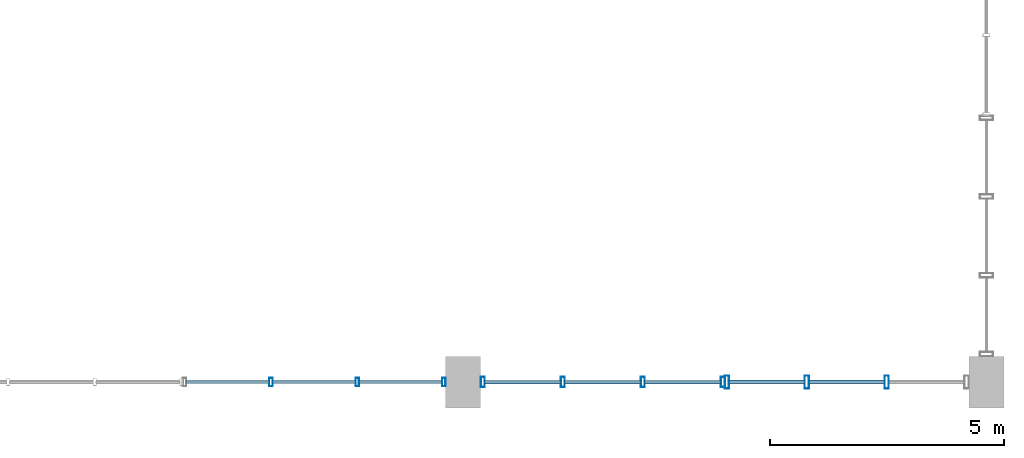
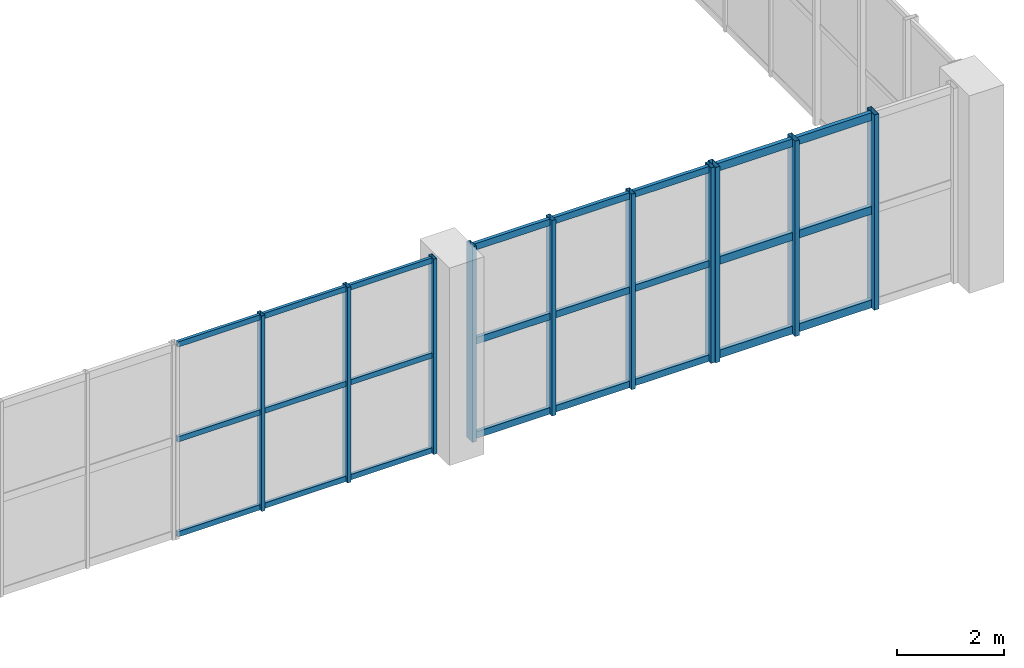
# One storey, part 20 of 48: 34 members, 3 elements without a shape of their own.
"""IFC4 building model written with IfcOpenShell, lengths in metres."""

from ifc_helpers import new_model, si_unit, direction, frame, origin, origin_2d, place, context, subcontext, project, spatial, hollow_rectangle, extrude, material, layer, layer_set, material_profile, profile_set, type_object, element, aggregate, save


model = new_model("IFC4")

# Units and contexts
model_context = context("Model", 3, precision=1e-05, world=origin(), true_north=direction((0.0, 1.0)))
body_context = subcontext(model_context, "Body", "Model", "MODEL_VIEW")
ifc_project = project(units=[si_unit("LENGTHUNIT", "METRE"), si_unit("AREAUNIT", "SQUARE_METRE"), si_unit("VOLUMEUNIT", "CUBIC_METRE"), si_unit("PLANEANGLEUNIT", "RADIAN"), si_unit("MASSUNIT", "GRAM", prefix="KILO"), si_unit("POWERUNIT", "WATT"), si_unit("THERMODYNAMICTEMPERATUREUNIT", "KELVIN")], contexts=[model_context])

# Site, building, storey
site_placement = place(None, origin())
site = spatial("IfcSite", under=ifc_project, at=site_placement, CompositionType="ELEMENT")
building_placement = place(site_placement, origin())
building = spatial("IfcBuilding", under=site, at=building_placement, Name="Kelmbourne Parkland Aquatics Centre", CompositionType="ELEMENT")
storey_placement = place(building_placement, frame((0.0, 0.0, 14.699951171875)))
storey = spatial("IfcBuildingStorey", under=building, at=storey_placement, Name="L03", CompositionType="ELEMENT", Elevation=14.699951171875)

# Curtain wall, members
ifc_material = material(Name="Thermally broken anodised aluminium framing", Category="aluminium")
ifc_layer_1 = layer(ifc_material, 0.179931640625)
ifc_layer_set_1 = layer_set([ifc_layer_1], Name="Thermally broken anodised aluminium framing")
curtain_wall_type_1 = type_object("IfcCurtainWallType", Name="CW-06", PredefinedType="NOTDEFINED", material=ifc_layer_set_1)
curtain_wall_1_placement = place(storey_placement, origin())
curtain_wall_1 = element("IfcCurtainWall", 1, at=curtain_wall_1_placement, inside=storey, type_object=curtain_wall_type_1, Name="Wave-hall clerestory curtain wall CW-L03-126", PredefinedType="NOTDEFINED")
ifc_material_profile_1 = material_profile(ifc_material, hollow_rectangle(XDim=0.074951171875, YDim=0.179931640625, WallThickness=0.00439453125, at=origin_2d()), Name="CW-M 75x180")
ifc_profile_set_1 = profile_set([ifc_material_profile_1], Name="Thermally broken anodised aluminium framing")
member_type_1 = type_object("IfcMemberType", Name="MB-MUL-2", PredefinedType="MULLION", material=ifc_profile_set_1)
member_1_placement = place(storey_placement, frame((159.88671875, 0.800048828125, 0.0), z_axis=(0.0, 0.0, 1.0), x_axis=(1.0, 0.0, 0.0)))
member_1 = element("IfcMember", 2, at=member_1_placement, type_object=member_type_1, Name="CW-L03-126 mullion 1", PredefinedType="MULLION", context=body_context, shape_type="SweptSolid", body=[
    extrude(hollow_rectangle(XDim=0.074951171875, YDim=0.179931640625, WallThickness=0.00439453125, at=origin_2d()), origin(), (0.0, 0.0, 1.0), 4.449951171875),
])
member_2_placement = place(storey_placement, frame((161.736083984375, 0.800048828125, 0.0), z_axis=(0.0, 0.0, 1.0), x_axis=(1.0, 0.0, 0.0)))
member_2 = element("IfcMember", 3, at=member_2_placement, type_object=member_type_1, Name="CW-L03-126 mullion 2", PredefinedType="MULLION", context=body_context, shape_type="SweptSolid", body=[
    extrude(hollow_rectangle(XDim=0.074951171875, YDim=0.179931640625, WallThickness=0.00439453125, at=origin_2d()), origin(), (0.0, 0.0, 1.0), 4.449951171875),
])
member_3_placement = place(storey_placement, frame((163.58544921875, 0.800048828125, 0.0), z_axis=(0.0, 0.0, 1.0), x_axis=(1.0, 0.0, 0.0)))
member_3 = element("IfcMember", 4, at=member_3_placement, type_object=member_type_1, Name="CW-L03-126 mullion 3", PredefinedType="MULLION", context=body_context, shape_type="SweptSolid", body=[
    extrude(hollow_rectangle(XDim=0.074951171875, YDim=0.179931640625, WallThickness=0.00439453125, at=origin_2d()), origin(), (0.0, 0.0, 1.0), 4.449951171875),
])

ifc_layer_2 = layer(ifc_material, 0.179931640625)
ifc_layer_set_2 = layer_set([ifc_layer_2], Name="Thermally broken anodised aluminium framing")
curtain_wall_type_2 = type_object("IfcCurtainWallType", Name="CW-07", PredefinedType="NOTDEFINED", material=ifc_layer_set_2)
curtain_wall_2_placement = place(storey_placement, origin())
curtain_wall_2 = element("IfcCurtainWall", 5, at=curtain_wall_2_placement, inside=storey, type_object=curtain_wall_type_2, Name="Wave-hall clerestory curtain wall CW-L03-127", PredefinedType="NOTDEFINED")
ifc_material_profile_2 = material_profile(ifc_material, hollow_rectangle(XDim=0.0849609375, YDim=0.219970703125, WallThickness=0.0048828125, at=origin_2d()), Name="CW-M 85x220")
ifc_profile_set_2 = profile_set([ifc_material_profile_2], Name="Thermally broken anodised aluminium framing")
member_type_2 = type_object("IfcMemberType", Name="MB-MUL-3", PredefinedType="MULLION", material=ifc_profile_set_2)
member_4_placement = place(storey_placement, frame((164.41943359375, 0.800048828125, 0.0), z_axis=(0.0, 0.0, 1.0), x_axis=(1.0, 0.0, 0.0)))
member_4 = element("IfcMember", 6, at=member_4_placement, type_object=member_type_2, Name="CW-L03-127 mullion 0", PredefinedType="MULLION", context=body_context, shape_type="SweptSolid", body=[
    extrude(hollow_rectangle(XDim=0.0849609375, YDim=0.219970703125, WallThickness=0.0048828125, at=origin_2d()), origin(), (0.0, 0.0, 1.0), 4.449951171875),
])
member_5_placement = place(storey_placement, frame((166.132080078125, 0.800048828125, 0.0), z_axis=(0.0, 0.0, 1.0), x_axis=(1.0, 0.0, 0.0)))
member_5 = element("IfcMember", 7, at=member_5_placement, type_object=member_type_2, Name="CW-L03-127 mullion 1", PredefinedType="MULLION", context=body_context, shape_type="SweptSolid", body=[
    extrude(hollow_rectangle(XDim=0.0849609375, YDim=0.219970703125, WallThickness=0.0048828125, at=origin_2d()), origin(), (0.0, 0.0, 1.0), 4.449951171875),
])
member_6_placement = place(storey_placement, frame((167.8447265625, 0.800048828125, 0.0), z_axis=(0.0, 0.0, 1.0), x_axis=(1.0, 0.0, 0.0)))
member_6 = element("IfcMember", 8, at=member_6_placement, type_object=member_type_2, Name="CW-L03-127 mullion 2", PredefinedType="MULLION", context=body_context, shape_type="SweptSolid", body=[
    extrude(hollow_rectangle(XDim=0.0849609375, YDim=0.219970703125, WallThickness=0.0048828125, at=origin_2d()), origin(), (0.0, 0.0, 1.0), 4.449951171875),
])
member_7_placement = place(storey_placement, frame((169.5576171875, 0.800048828125, 0.0), z_axis=(0.0, 0.0, 1.0), x_axis=(1.0, 0.0, 0.0)))
member_7 = element("IfcMember", 9, at=member_7_placement, type_object=member_type_2, Name="CW-L03-127 mullion 3", PredefinedType="MULLION", context=body_context, shape_type="SweptSolid", body=[
    extrude(hollow_rectangle(XDim=0.0849609375, YDim=0.219970703125, WallThickness=0.0048828125, at=origin_2d()), origin(), (0.0, 0.0, 1.0), 4.449951171875),
])

ifc_layer_3 = layer(ifc_material, 0.179931640625)
ifc_layer_set_3 = layer_set([ifc_layer_3], Name="Thermally broken anodised aluminium framing")
curtain_wall_type_3 = type_object("IfcCurtainWallType", Name="CW-08", PredefinedType="NOTDEFINED", material=ifc_layer_set_3)
curtain_wall_3_placement = place(storey_placement, origin())
curtain_wall_3 = element("IfcCurtainWall", 10, at=curtain_wall_3_placement, inside=storey, type_object=curtain_wall_type_3, Name="Wave-hall clerestory curtain wall CW-L03-128", PredefinedType="NOTDEFINED")
ifc_material_profile_3 = material_profile(ifc_material, hollow_rectangle(XDim=0.094970703125, YDim=0.280029296875, WallThickness=0.005615234375, at=origin_2d()), Name="CW-M 95x280")
ifc_profile_set_3 = profile_set([ifc_material_profile_3], Name="Thermally broken anodised aluminium framing")
member_type_3 = type_object("IfcMemberType", Name="MB-MUL-4", PredefinedType="MULLION", material=ifc_profile_set_3)
member_8_placement = place(storey_placement, frame((169.6474609375, 0.800048828125, 0.0), z_axis=(0.0, 0.0, 1.0), x_axis=(1.0, 0.0, 0.0)))
member_8 = element("IfcMember", 11, at=member_8_placement, type_object=member_type_3, Name="CW-L03-128 mullion 0", PredefinedType="MULLION", context=body_context, shape_type="SweptSolid", body=[
    extrude(hollow_rectangle(XDim=0.094970703125, YDim=0.280029296875, WallThickness=0.005615234375, at=origin_2d()), origin(), (0.0, 0.0, 1.0), 4.449951171875),
])
member_9_placement = place(storey_placement, frame((171.356689453125, 0.800048828125, 0.0), z_axis=(0.0, 0.0, 1.0), x_axis=(1.0, 0.0, 0.0)))
member_9 = element("IfcMember", 12, at=member_9_placement, type_object=member_type_3, Name="CW-L03-128 mullion 1", PredefinedType="MULLION", context=body_context, shape_type="SweptSolid", body=[
    extrude(hollow_rectangle(XDim=0.094970703125, YDim=0.280029296875, WallThickness=0.005615234375, at=origin_2d()), origin(), (0.0, 0.0, 1.0), 4.449951171875),
])
member_10_placement = place(storey_placement, frame((173.066162109375, 0.800048828125, 0.0), z_axis=(0.0, 0.0, 1.0), x_axis=(1.0, 0.0, 0.0)))
member_10 = element("IfcMember", 13, at=member_10_placement, type_object=member_type_3, Name="CW-L03-128 mullion 2", PredefinedType="MULLION", context=body_context, shape_type="SweptSolid", body=[
    extrude(hollow_rectangle(XDim=0.094970703125, YDim=0.280029296875, WallThickness=0.005615234375, at=origin_2d()), origin(), (0.0, 0.0, 1.0), 4.449951171875),
])

# Member
ifc_material_profile_4 = material_profile(ifc_material, hollow_rectangle(XDim=0.06494140625, YDim=0.1201171875, WallThickness=0.00341796875, at=origin_2d()), Name="CW-T 65x120")
ifc_profile_set_4 = profile_set([ifc_material_profile_4], Name="Thermally broken anodised aluminium framing")
member_type_4 = type_object("IfcMemberType", Name="MB-TRN-1", PredefinedType="USERDEFINED", material=ifc_profile_set_4)
member_11_placement = place(storey_placement, frame((158.071044921875, 0.800048828125, 0.06298828125), z_axis=(1.0, 0.0, 0.0), x_axis=(0.0, 1.0, 0.0)))
member_11 = element("IfcMember", 14, at=member_11_placement, type_object=member_type_4, Name="CW-L03-126 transom 0-0", ObjectType="TRANSOM", PredefinedType="USERDEFINED", context=body_context, shape_type="SweptSolid", body=[
    extrude(hollow_rectangle(XDim=0.06494140625, YDim=0.1201171875, WallThickness=0.00341796875, at=origin_2d()), origin(), (0.0, 0.0, 1.0), 1.7822265625),
])

member_12_placement = place(storey_placement, frame((159.92041015625, 0.800048828125, 0.06298828125), z_axis=(1.0, 0.0, 0.0), x_axis=(0.0, 1.0, 0.0)))
member_12 = element("IfcMember", 15, at=member_12_placement, type_object=member_type_4, Name="CW-L03-126 transom 0-1", ObjectType="TRANSOM", PredefinedType="USERDEFINED", context=body_context, shape_type="SweptSolid", body=[
    extrude(hollow_rectangle(XDim=0.06494140625, YDim=0.1201171875, WallThickness=0.00341796875, at=origin_2d()), origin(), (0.0, 0.0, 1.0), 1.7822265625),
])

member_13_placement = place(storey_placement, frame((161.769775390625, 0.800048828125, 0.06298828125), z_axis=(1.0, 0.0, 0.0), x_axis=(0.0, 1.0, 0.0)))
member_13 = element("IfcMember", 16, at=member_13_placement, type_object=member_type_4, Name="CW-L03-126 transom 0-2", ObjectType="TRANSOM", PredefinedType="USERDEFINED", context=body_context, shape_type="SweptSolid", body=[
    extrude(hollow_rectangle(XDim=0.06494140625, YDim=0.1201171875, WallThickness=0.00341796875, at=origin_2d()), origin(), (0.0, 0.0, 1.0), 1.7822265625),
])

member_14_placement = place(storey_placement, frame((158.071044921875, 0.800048828125, 2.22509765625), z_axis=(1.0, 0.0, 0.0), x_axis=(0.0, 1.0, 0.0)))
member_14 = element("IfcMember", 17, at=member_14_placement, type_object=member_type_4, Name="CW-L03-126 transom 1-0", ObjectType="TRANSOM", PredefinedType="USERDEFINED", context=body_context, shape_type="SweptSolid", body=[
    extrude(hollow_rectangle(XDim=0.06494140625, YDim=0.1201171875, WallThickness=0.00341796875, at=origin_2d()), origin(), (0.0, 0.0, 1.0), 1.7822265625),
])

member_15_placement = place(storey_placement, frame((159.92041015625, 0.800048828125, 2.22509765625), z_axis=(1.0, 0.0, 0.0), x_axis=(0.0, 1.0, 0.0)))
member_15 = element("IfcMember", 18, at=member_15_placement, type_object=member_type_4, Name="CW-L03-126 transom 1-1", ObjectType="TRANSOM", PredefinedType="USERDEFINED", context=body_context, shape_type="SweptSolid", body=[
    extrude(hollow_rectangle(XDim=0.06494140625, YDim=0.1201171875, WallThickness=0.00341796875, at=origin_2d()), origin(), (0.0, 0.0, 1.0), 1.7822265625),
])

member_16_placement = place(storey_placement, frame((161.769775390625, 0.800048828125, 2.22509765625), z_axis=(1.0, 0.0, 0.0), x_axis=(0.0, 1.0, 0.0)))
member_16 = element("IfcMember", 19, at=member_16_placement, type_object=member_type_4, Name="CW-L03-126 transom 1-2", ObjectType="TRANSOM", PredefinedType="USERDEFINED", context=body_context, shape_type="SweptSolid", body=[
    extrude(hollow_rectangle(XDim=0.06494140625, YDim=0.1201171875, WallThickness=0.00341796875, at=origin_2d()), origin(), (0.0, 0.0, 1.0), 1.7822265625),
])

member_17_placement = place(storey_placement, frame((158.071044921875, 0.800048828125, 4.386962890625), z_axis=(1.0, 0.0, 0.0), x_axis=(0.0, 1.0, 0.0)))
member_17 = element("IfcMember", 20, at=member_17_placement, type_object=member_type_4, Name="CW-L03-126 transom 2-0", ObjectType="TRANSOM", PredefinedType="USERDEFINED", context=body_context, shape_type="SweptSolid", body=[
    extrude(hollow_rectangle(XDim=0.06494140625, YDim=0.1201171875, WallThickness=0.00341796875, at=origin_2d()), origin(), (0.0, 0.0, 1.0), 1.7822265625),
])

member_18_placement = place(storey_placement, frame((159.92041015625, 0.800048828125, 4.386962890625), z_axis=(1.0, 0.0, 0.0), x_axis=(0.0, 1.0, 0.0)))
member_18 = element("IfcMember", 21, at=member_18_placement, type_object=member_type_4, Name="CW-L03-126 transom 2-1", ObjectType="TRANSOM", PredefinedType="USERDEFINED", context=body_context, shape_type="SweptSolid", body=[
    extrude(hollow_rectangle(XDim=0.06494140625, YDim=0.1201171875, WallThickness=0.00341796875, at=origin_2d()), origin(), (0.0, 0.0, 1.0), 1.7822265625),
])

member_19_placement = place(storey_placement, frame((161.769775390625, 0.800048828125, 4.386962890625), z_axis=(1.0, 0.0, 0.0), x_axis=(0.0, 1.0, 0.0)))
member_19 = element("IfcMember", 22, at=member_19_placement, type_object=member_type_4, Name="CW-L03-126 transom 2-2", ObjectType="TRANSOM", PredefinedType="USERDEFINED", context=body_context, shape_type="SweptSolid", body=[
    extrude(hollow_rectangle(XDim=0.06494140625, YDim=0.1201171875, WallThickness=0.00341796875, at=origin_2d()), origin(), (0.0, 0.0, 1.0), 1.7822265625),
])

aggregate(curtain_wall_1, [member_1, member_2, member_3, member_11, member_12, member_13, member_14, member_15, member_16, member_17, member_18, member_19])

ifc_material_profile_5 = material_profile(ifc_material, hollow_rectangle(XDim=0.074951171875, YDim=0.14990234375, WallThickness=0.00390625, at=origin_2d()), Name="CW-T 75x150")
ifc_profile_set_5 = profile_set([ifc_material_profile_5], Name="Thermally broken anodised aluminium framing")
member_type_5 = type_object("IfcMemberType", Name="MB-TRN-2", PredefinedType="USERDEFINED", material=ifc_profile_set_5)
member_20_placement = place(storey_placement, frame((164.4580078125, 0.800048828125, 0.078125), z_axis=(1.0, 0.0, 0.0), x_axis=(0.0, 1.0, 0.0)))
member_20 = element("IfcMember", 23, at=member_20_placement, type_object=member_type_5, Name="CW-L03-127 transom 0-0", ObjectType="TRANSOM", PredefinedType="USERDEFINED", context=body_context, shape_type="SweptSolid", body=[
    extrude(hollow_rectangle(XDim=0.074951171875, YDim=0.14990234375, WallThickness=0.00390625, at=origin_2d()), origin(), (0.0, 0.0, 1.0), 1.6357421875),
])

member_21_placement = place(storey_placement, frame((166.170654296875, 0.800048828125, 0.078125), z_axis=(1.0, 0.0, 0.0), x_axis=(0.0, 1.0, 0.0)))
member_21 = element("IfcMember", 24, at=member_21_placement, type_object=member_type_5, Name="CW-L03-127 transom 0-1", ObjectType="TRANSOM", PredefinedType="USERDEFINED", context=body_context, shape_type="SweptSolid", body=[
    extrude(hollow_rectangle(XDim=0.074951171875, YDim=0.14990234375, WallThickness=0.00390625, at=origin_2d()), origin(), (0.0, 0.0, 1.0), 1.6357421875),
])

member_22_placement = place(storey_placement, frame((167.88330078125, 0.800048828125, 0.078125), z_axis=(1.0, 0.0, 0.0), x_axis=(0.0, 1.0, 0.0)))
member_22 = element("IfcMember", 25, at=member_22_placement, type_object=member_type_5, Name="CW-L03-127 transom 0-2", ObjectType="TRANSOM", PredefinedType="USERDEFINED", context=body_context, shape_type="SweptSolid", body=[
    extrude(hollow_rectangle(XDim=0.074951171875, YDim=0.14990234375, WallThickness=0.00390625, at=origin_2d()), origin(), (0.0, 0.0, 1.0), 1.6357421875),
])

member_23_placement = place(storey_placement, frame((164.4580078125, 0.800048828125, 2.22509765625), z_axis=(1.0, 0.0, 0.0), x_axis=(0.0, 1.0, 0.0)))
member_23 = element("IfcMember", 26, at=member_23_placement, type_object=member_type_5, Name="CW-L03-127 transom 1-0", ObjectType="TRANSOM", PredefinedType="USERDEFINED", context=body_context, shape_type="SweptSolid", body=[
    extrude(hollow_rectangle(XDim=0.074951171875, YDim=0.14990234375, WallThickness=0.00390625, at=origin_2d()), origin(), (0.0, 0.0, 1.0), 1.6357421875),
])

member_24_placement = place(storey_placement, frame((166.170654296875, 0.800048828125, 2.22509765625), z_axis=(1.0, 0.0, 0.0), x_axis=(0.0, 1.0, 0.0)))
member_24 = element("IfcMember", 27, at=member_24_placement, type_object=member_type_5, Name="CW-L03-127 transom 1-1", ObjectType="TRANSOM", PredefinedType="USERDEFINED", context=body_context, shape_type="SweptSolid", body=[
    extrude(hollow_rectangle(XDim=0.074951171875, YDim=0.14990234375, WallThickness=0.00390625, at=origin_2d()), origin(), (0.0, 0.0, 1.0), 1.6357421875),
])

member_25_placement = place(storey_placement, frame((167.88330078125, 0.800048828125, 2.22509765625), z_axis=(1.0, 0.0, 0.0), x_axis=(0.0, 1.0, 0.0)))
member_25 = element("IfcMember", 28, at=member_25_placement, type_object=member_type_5, Name="CW-L03-127 transom 1-2", ObjectType="TRANSOM", PredefinedType="USERDEFINED", context=body_context, shape_type="SweptSolid", body=[
    extrude(hollow_rectangle(XDim=0.074951171875, YDim=0.14990234375, WallThickness=0.00390625, at=origin_2d()), origin(), (0.0, 0.0, 1.0), 1.6357421875),
])

member_26_placement = place(storey_placement, frame((164.4580078125, 0.800048828125, 4.3720703125), z_axis=(1.0, 0.0, 0.0), x_axis=(0.0, 1.0, 0.0)))
member_26 = element("IfcMember", 29, at=member_26_placement, type_object=member_type_5, Name="CW-L03-127 transom 2-0", ObjectType="TRANSOM", PredefinedType="USERDEFINED", context=body_context, shape_type="SweptSolid", body=[
    extrude(hollow_rectangle(XDim=0.074951171875, YDim=0.14990234375, WallThickness=0.00390625, at=origin_2d()), origin(), (0.0, 0.0, 1.0), 1.6357421875),
])

member_27_placement = place(storey_placement, frame((166.170654296875, 0.800048828125, 4.3720703125), z_axis=(1.0, 0.0, 0.0), x_axis=(0.0, 1.0, 0.0)))
member_27 = element("IfcMember", 30, at=member_27_placement, type_object=member_type_5, Name="CW-L03-127 transom 2-1", ObjectType="TRANSOM", PredefinedType="USERDEFINED", context=body_context, shape_type="SweptSolid", body=[
    extrude(hollow_rectangle(XDim=0.074951171875, YDim=0.14990234375, WallThickness=0.00390625, at=origin_2d()), origin(), (0.0, 0.0, 1.0), 1.6357421875),
])

member_28_placement = place(storey_placement, frame((167.88330078125, 0.800048828125, 4.3720703125), z_axis=(1.0, 0.0, 0.0), x_axis=(0.0, 1.0, 0.0)))
member_28 = element("IfcMember", 31, at=member_28_placement, type_object=member_type_5, Name="CW-L03-127 transom 2-2", ObjectType="TRANSOM", PredefinedType="USERDEFINED", context=body_context, shape_type="SweptSolid", body=[
    extrude(hollow_rectangle(XDim=0.074951171875, YDim=0.14990234375, WallThickness=0.00390625, at=origin_2d()), origin(), (0.0, 0.0, 1.0), 1.6357421875),
])

aggregate(curtain_wall_2, [member_4, member_5, member_6, member_7, member_20, member_21, member_22, member_23, member_24, member_25, member_26, member_27, member_28])

ifc_material_profile_6 = material_profile(ifc_material, hollow_rectangle(XDim=0.0849609375, YDim=0.179931640625, WallThickness=0.00439453125, at=origin_2d()), Name="CW-T 85x180")
ifc_profile_set_6 = profile_set([ifc_material_profile_6], Name="Thermally broken anodised aluminium framing")
member_type_6 = type_object("IfcMemberType", Name="MB-TRN-3", PredefinedType="USERDEFINED", material=ifc_profile_set_6)
member_29_placement = place(storey_placement, frame((169.69091796875, 0.800048828125, 0.093017578125), z_axis=(1.0, 0.0, 0.0), x_axis=(0.0, 1.0, 0.0)))
member_29 = element("IfcMember", 32, at=member_29_placement, type_object=member_type_6, Name="CW-L03-128 transom 0-0", ObjectType="TRANSOM", PredefinedType="USERDEFINED", context=body_context, shape_type="SweptSolid", body=[
    extrude(hollow_rectangle(XDim=0.0849609375, YDim=0.179931640625, WallThickness=0.00439453125, at=origin_2d()), origin(), (0.0, 0.0, 1.0), 1.622314453125),
])

member_30_placement = place(storey_placement, frame((171.400390625, 0.800048828125, 0.093017578125), z_axis=(1.0, 0.0, 0.0), x_axis=(0.0, 1.0, 0.0)))
member_30 = element("IfcMember", 33, at=member_30_placement, type_object=member_type_6, Name="CW-L03-128 transom 0-1", ObjectType="TRANSOM", PredefinedType="USERDEFINED", context=body_context, shape_type="SweptSolid", body=[
    extrude(hollow_rectangle(XDim=0.0849609375, YDim=0.179931640625, WallThickness=0.00439453125, at=origin_2d()), origin(), (0.0, 0.0, 1.0), 1.622314453125),
])

member_31_placement = place(storey_placement, frame((169.69091796875, 0.800048828125, 2.22509765625), z_axis=(1.0, 0.0, 0.0), x_axis=(0.0, 1.0, 0.0)))
member_31 = element("IfcMember", 34, at=member_31_placement, type_object=member_type_6, Name="CW-L03-128 transom 1-0", ObjectType="TRANSOM", PredefinedType="USERDEFINED", context=body_context, shape_type="SweptSolid", body=[
    extrude(hollow_rectangle(XDim=0.0849609375, YDim=0.179931640625, WallThickness=0.00439453125, at=origin_2d()), origin(), (0.0, 0.0, 1.0), 1.622314453125),
])

member_32_placement = place(storey_placement, frame((171.400390625, 0.800048828125, 2.22509765625), z_axis=(1.0, 0.0, 0.0), x_axis=(0.0, 1.0, 0.0)))
member_32 = element("IfcMember", 35, at=member_32_placement, type_object=member_type_6, Name="CW-L03-128 transom 1-1", ObjectType="TRANSOM", PredefinedType="USERDEFINED", context=body_context, shape_type="SweptSolid", body=[
    extrude(hollow_rectangle(XDim=0.0849609375, YDim=0.179931640625, WallThickness=0.00439453125, at=origin_2d()), origin(), (0.0, 0.0, 1.0), 1.622314453125),
])

member_33_placement = place(storey_placement, frame((169.69091796875, 0.800048828125, 4.35693359375), z_axis=(1.0, 0.0, 0.0), x_axis=(0.0, 1.0, 0.0)))
member_33 = element("IfcMember", 36, at=member_33_placement, type_object=member_type_6, Name="CW-L03-128 transom 2-0", ObjectType="TRANSOM", PredefinedType="USERDEFINED", context=body_context, shape_type="SweptSolid", body=[
    extrude(hollow_rectangle(XDim=0.0849609375, YDim=0.179931640625, WallThickness=0.00439453125, at=origin_2d()), origin(), (0.0, 0.0, 1.0), 1.622314453125),
])

member_34_placement = place(storey_placement, frame((171.400390625, 0.800048828125, 4.35693359375), z_axis=(1.0, 0.0, 0.0), x_axis=(0.0, 1.0, 0.0)))
member_34 = element("IfcMember", 37, at=member_34_placement, type_object=member_type_6, Name="CW-L03-128 transom 2-1", ObjectType="TRANSOM", PredefinedType="USERDEFINED", context=body_context, shape_type="SweptSolid", body=[
    extrude(hollow_rectangle(XDim=0.0849609375, YDim=0.179931640625, WallThickness=0.00439453125, at=origin_2d()), origin(), (0.0, 0.0, 1.0), 1.622314453125),
])

aggregate(curtain_wall_3, [member_8, member_9, member_10, member_29, member_30, member_31, member_32, member_33, member_34])

save(model, "model.ifc")
